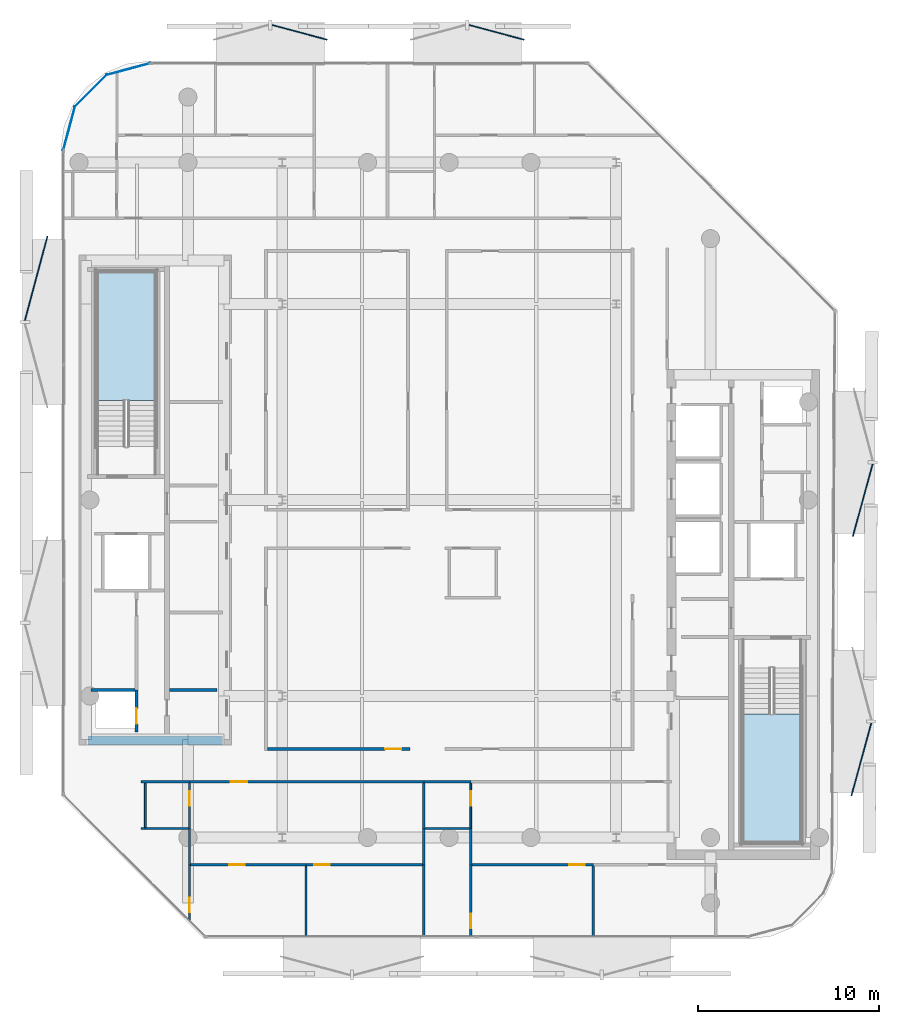
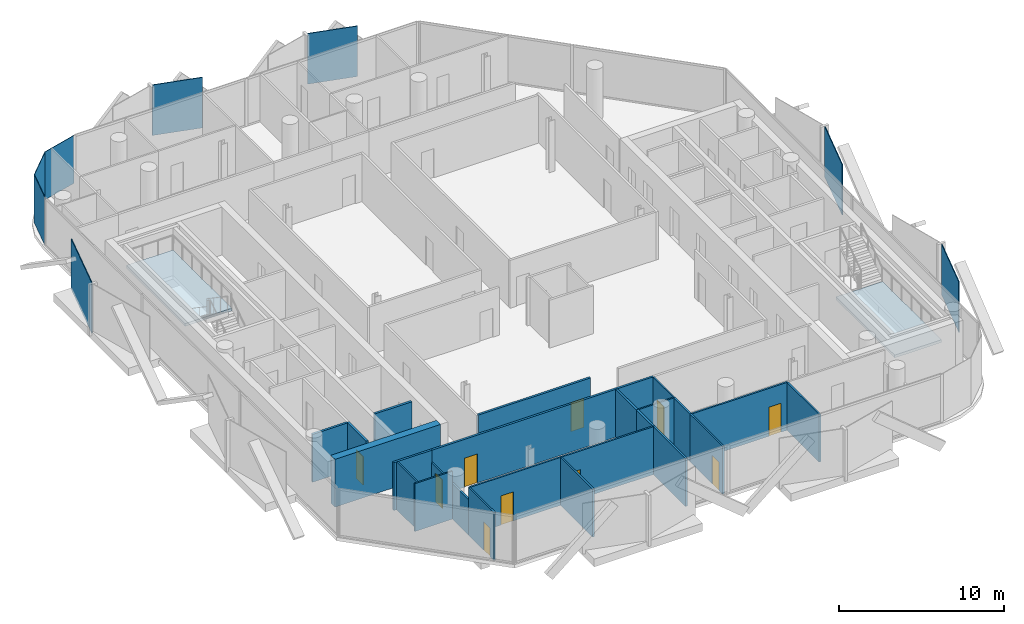
# One storey, part 4 of 16: 25 walls, 10 doors, 8 plates, 2 slabs, 10 openings, 2 elements without a shape of their own.
"""IFC4 building model written with IfcOpenShell, lengths in metres."""

from ifc_helpers import new_model, si_unit, direction, frame, frame_2d, origin, origin_2d, place, context, subcontext, project, spatial, polyline, rectangle, outline, extrude, material, layer, layer_set, type_object, element, fill, aggregate, save


model = new_model("IFC4")

# Units and contexts
model_context = context("Model", 3, precision=1e-05, world=origin(), true_north=direction((0.0, 1.0)))
body_context = subcontext(model_context, "Body", "Model", "MODEL_VIEW")
ifc_project = project(units=[si_unit("LENGTHUNIT", "METRE"), si_unit("AREAUNIT", "SQUARE_METRE"), si_unit("VOLUMEUNIT", "CUBIC_METRE"), si_unit("PLANEANGLEUNIT", "RADIAN"), si_unit("MASSUNIT", "GRAM", prefix="KILO")], contexts=[model_context])

# Site, building, storey
site_placement = place(None, origin())
site = spatial("IfcSite", under=ifc_project, at=site_placement, CompositionType="ELEMENT")
building_placement = place(site_placement, origin())
building = spatial("IfcBuilding", under=site, at=building_placement, Name="Khairoan Windgate Tower", CompositionType="ELEMENT")
storey_placement = place(building_placement, frame((0.0, 0.0, 300.39990234375)))
storey = spatial("IfcBuildingStorey", under=building, at=storey_placement, Name="L72", CompositionType="ELEMENT", Elevation=300.39990234375)

# Plates
ifc_material_1 = material(Name="Low-E Solar Control Laminated Glass", Category="glass")
ifc_layer_1 = layer(ifc_material_1, 0.030029296875, Name="Low-E Solar Control Laminated Glass")
ifc_layer_set_1 = layer_set([ifc_layer_1], Name="Low-E Solar Control Laminated Glass")
plate_type_1 = type_object("IfcPlateType", Name="Aerodynamic Wind-Corner Curved Glazing Plate", PredefinedType="USERDEFINED", material=ifc_layer_set_1)
plate_1_placement = place(storey_placement, frame((-20.940673828125, 20.485107421875, 0.0), z_axis=(0.0, 0.0, 1.0), x_axis=(0.258313252067, 0.966061211211, 0.0)))
element("IfcPlate", 1, at=plate_1_placement, inside=storey, type_object=plate_type_1, Name="L72 Aerodynamic Wind-Corner Curved Glazing Panel 4", ObjectType="GLAZING PANEL", PredefinedType="USERDEFINED", context=body_context, shape_type="SweptSolid", body=[
    extrude(rectangle(XDim=2.512451171875, YDim=0.035888671875, at=origin_2d()), origin(), (0.0, 0.0, 1.0), 3.5400390625),
])
plate_2_placement = place(storey_placement, frame((-19.750244140625, 22.55029296875, 0.0), z_axis=(0.0, 0.0, 1.0), x_axis=(0.707106781187, 0.707106781187, 0.0)))
element("IfcPlate", 2, at=plate_2_placement, inside=storey, type_object=plate_type_1, Name="L72 Aerodynamic Wind-Corner Curved Glazing Panel 5", ObjectType="GLAZING PANEL", PredefinedType="USERDEFINED", context=body_context, shape_type="SweptSolid", body=[
    extrude(rectangle(XDim=2.50341796875, YDim=0.035888671875, at=origin_2d()), origin(), (0.0, 0.0, 1.0), 3.5400390625),
])
plate_3_placement = place(storey_placement, frame((-17.68505859375, 23.740478515625, 0.0), z_axis=(0.0, 0.0, 1.0), x_axis=(0.966061211211, 0.258313252067, 0.0)))
element("IfcPlate", 3, at=plate_3_placement, inside=storey, type_object=plate_type_1, Name="L72 Aerodynamic Wind-Corner Curved Glazing Panel 6", ObjectType="GLAZING PANEL", PredefinedType="USERDEFINED", context=body_context, shape_type="SweptSolid", body=[
    extrude(rectangle(XDim=2.512451171875, YDim=0.035888671875, at=origin_2d()), origin(), (0.0, 0.0, 1.0), 3.5400390625),
])
ifc_material_2 = material(Name="Anodised Bronze Aluminium 6063-T6", Category="aluminium")
ifc_layer_2 = layer(ifc_material_2, 0.054931640625, Name="Anodised Bronze Aluminium 6063-T6")
ifc_layer_set_2 = layer_set([ifc_layer_2], Name="Anodised Bronze Aluminium 6063-T6")
plate_type_2 = type_object("IfcPlateType", Name="Perforated Bronze Solar Screen Upper Panel BSP-2", PredefinedType="USERDEFINED", material=ifc_layer_set_2)
plate_4_placement = place(storey_placement, frame((-22.75830078125, 12.2177734375, -0.10009765625), z_axis=(0.0, 0.0, 1.0), x_axis=(0.258819045103, 0.965925826289, 0.0)))
element("IfcPlate", 4, at=plate_4_placement, inside=storey, type_object=plate_type_2, Name="L72 Perforated Bronze Solar Screen Panel 505R", ObjectType="SCREEN", PredefinedType="USERDEFINED", context=body_context, shape_type="SweptSolid", body=[
    extrude(rectangle(XDim=4.803955078125, YDim=0.054931640625, at=origin_2d()), origin(), (0.0, 0.0, 1.0), 3.739990234375),
])
for number, where, z_axis, x_axis, name in (
    (5, (-8.252197265625, 25.772705078125, -0.10009765625), (0.0, 0.0, 1.0), (0.965925826289, -0.258819045103, 0.0), "L72 Perforated Bronze Solar Screen Panel 506R"),
    (6, (2.604248046875, 25.772705078125, -0.10009765625), (0.0, 0.0, 1.0), (0.965925826289, -0.258819045103, 0.0), "L72 Perforated Bronze Solar Screen Panel 507R"),
):
    element("IfcPlate", number, at=place(storey_placement, frame(where, z_axis=z_axis, x_axis=x_axis)), inside=storey, type_object=plate_type_2, Name=name, ObjectType="SCREEN", PredefinedType="USERDEFINED", context=body_context, shape_type="SweptSolid", body=[
        extrude(rectangle(XDim=3.14794921875, YDim=0.054931640625, at=origin_2d()), origin(), (0.0, 0.0, 1.0), 3.739990234375),
    ])
for number, where, z_axis, x_axis, name in (
    (7, (22.789306640625, -0.01416015625, -0.10009765625), (0.0, 0.0, 1.0), (-0.263873049965, -0.964557418458, 0.0), "L72 Perforated Bronze Solar Screen Panel 508R"),
    (8, (22.7138671875, -14.291015625, -0.10009765625), (0.0, 0.0, 1.0), (-0.263873049965, -0.964557418458, 0.0), "L72 Perforated Bronze Solar Screen Panel 509R"),
):
    element("IfcPlate", number, at=place(storey_placement, frame(where, z_axis=z_axis, x_axis=x_axis)), inside=storey, type_object=plate_type_2, Name=name, ObjectType="SCREEN", PredefinedType="USERDEFINED", context=body_context, shape_type="SweptSolid", body=[
        extrude(rectangle(XDim=4.139892578125, YDim=0.054931640625, at=origin_2d()), origin(), (0.0, 0.0, 1.0), 3.739990234375),
    ])

# Stair, slab
ifc_material_3 = material(Name="Concrete C40/50", Category="concrete")
stair_type = type_object("IfcStairType", Name="Tower Core Dog-Leg Stair ST-T1 1560mm", PredefinedType="HALF_TURN_STAIR", material=ifc_material_3)
stair_1_placement = place(storey_placement, origin())
stair_1 = element("IfcStair", 9, at=stair_1_placement, inside=storey, type_object=stair_type, Name="L72 Stair ST1", PredefinedType="HALF_TURN_STAIR")
ifc_material_4 = material(Name="Concrete C40/50", Category="concrete")
ifc_layer_3 = layer(ifc_material_4, 0.199951171875, Name="Concrete C40/50")
ifc_layer_set_3 = layer_set([ifc_layer_3], Name="Concrete C40/50")
slab_type = type_object("IfcSlabType", Name="Reinforced Concrete Stair Landing Slab STL-200", PredefinedType="LANDING", material=ifc_layer_set_3)
slab_1_placement = place(storey_placement, frame((0.0, 0.0, 1.7001953125)))
slab_1 = element("IfcSlab", 10, at=slab_1_placement, type_object=slab_type, Name="ST1 landing 1", PredefinedType="LANDING", context=body_context, shape_type="SweptSolid", body=[
    extrude(outline(polyline([(16.14990234375, -11.780029296875), (16.14990234375, -18.89990234375), (19.419921875, -18.89990234375), (19.419921875, -11.780029296875), (16.14990234375, -11.780029296875)])), origin(), (0.0, 0.0, 1.0), 0.199951171875),
])
aggregate(stair_1, [slab_1])

stair_2_placement = place(storey_placement, origin())
stair_2 = element("IfcStair", 11, at=stair_2_placement, inside=storey, type_object=stair_type, Name="L72 Stair ST2", PredefinedType="HALF_TURN_STAIR")
slab_2_placement = place(storey_placement, frame((0.0, 0.0, 1.7001953125)))
slab_2 = element("IfcSlab", 12, at=slab_2_placement, type_object=slab_type, Name="ST2 landing 1", PredefinedType="LANDING", context=body_context, shape_type="SweptSolid", body=[
    extrude(outline(polyline([(-16.14990234375, 5.47998046875), (-16.14990234375, 12.60009765625), (-19.419921875, 12.60009765625), (-19.419921875, 5.47998046875), (-16.14990234375, 5.47998046875)])), origin(), (0.0, 0.0, 1.0), 0.199951171875),
])
aggregate(stair_2, [slab_2])

# Wall
ifc_material_5 = material(Name="Moisture-Resistant Gypsum Partition", Category="gypsum")
ifc_layer_4 = layer(ifc_material_5, 0.10009765625, Name="Moisture-Resistant Gypsum Partition")
ifc_layer_set_4 = layer_set([ifc_layer_4], Name="Moisture-Resistant Gypsum Partition")
wall_type_1 = type_object("IfcWallType", Name="Bathroom Wet-Area Partition Wall", PredefinedType="PARTITIONING", material=ifc_layer_set_4)
wall_1_placement = place(storey_placement, frame((-16.97998046875, -18.10009765625, 0.0), z_axis=(0.0, 0.0, 1.0), x_axis=(1.0, 0.0, 0.0)))
element("IfcWall", 13, at=wall_1_placement, inside=storey, type_object=wall_type_1, Name="L72 Interior Partition 054", PredefinedType="PARTITIONING", context=body_context, shape_type="SweptSolid", body=[
    extrude(rectangle(XDim=2.619873046875, YDim=0.10009765625, at=frame_2d((1.31005859375, 0.0))), origin(), (0.0, 0.0, 1.0), 3.5400390625),
])

# Wall, opening, door
wall_2_placement = place(storey_placement, frame((-14.31005859375, -18.10009765625, 0.0), z_axis=(0.0, 0.0, 1.0), x_axis=(0.0, 1.0, 0.0)))
wall_2 = element("IfcWall", 14, at=wall_2_placement, inside=storey, type_object=wall_type_1, Name="L72 Interior Partition 055", PredefinedType="PARTITIONING", context=body_context, shape_type="SweptSolid", body=[
    extrude(rectangle(XDim=2.5, YDim=0.10009765625, at=frame_2d((1.25, 0.0))), origin(), (0.0, 0.0, 1.0), 2.64013671875),
])
opening_1_placement = place(wall_2_placement, frame((1.239990234375, 0.0, 0.0)))
opening_1 = element("IfcOpeningElement", 15, at=opening_1_placement, cuts=wall_2, Name="Opening ID-BTH", PredefinedType="OPENING", context=body_context, shape_type="SweptSolid", body=[
    extrude(rectangle(XDim=0.800048828125, YDim=2.10009765625, at=frame_2d((0.39990234375, 1.050048828125))), frame((0.0, 0.06005859375, 0.0), z_axis=(0.0, -1.0, 0.0), x_axis=(1.0, 0.0, 0.0)), (0.0, 0.0, 1.0), 0.1201171875),
])
ifc_material_6 = material(Name="Teak Veneer Timber Leaf", Category="wood")
door_type_1 = type_object("IfcDoorType", Name="Internal Bathroom Door ID-BTH 800x2100", OperationType="NOTDEFINED", PredefinedType="DOOR", material=ifc_material_6)
door_1_placement = place(opening_1_placement, origin())
door_1 = element("IfcDoor", 16, at=door_1_placement, inside=storey, type_object=door_type_1, Name="L72 L72-44-L72-46 Door", OperationType="SINGLE_SWING_LEFT", OverallHeight=2.10009765625, OverallWidth=0.800048828125, PredefinedType="DOOR", context=body_context, shape_type="SweptSolid", body=[
    extrude(rectangle(XDim=0.800048828125, YDim=2.10009765625, at=frame_2d((0.39990234375, 1.050048828125))), frame((0.0, 0.02490234375, 0.0), z_axis=(0.0, -1.0, 0.0), x_axis=(1.0, 0.0, 0.0)), (0.0, 0.0, 1.0), 0.050048828125),
])
fill(opening_1, door_1)

# Wall
wall_3_placement = place(storey_placement, frame((-1.330078125, -18.10009765625, 0.0), z_axis=(0.0, 0.0, 1.0), x_axis=(1.0, 0.0, 0.0)))
element("IfcWall", 17, at=wall_3_placement, inside=storey, type_object=wall_type_1, Name="L72 Interior Partition 064", PredefinedType="PARTITIONING", context=body_context, shape_type="SweptSolid", body=[
    extrude(rectangle(XDim=2.469970703125, YDim=0.10009765625, at=frame_2d((1.23486328125, 0.0))), origin(), (0.0, 0.0, 1.0), 3.5400390625),
])

# Wall, opening, door
wall_4_placement = place(storey_placement, frame((1.18994140625, -18.10009765625, 0.0), z_axis=(0.0, 0.0, 1.0), x_axis=(0.0, 1.0, 0.0)))
wall_4 = element("IfcWall", 18, at=wall_4_placement, inside=storey, type_object=wall_type_1, Name="L72 Interior Partition 065", PredefinedType="PARTITIONING", context=body_context, shape_type="SweptSolid", body=[
    extrude(rectangle(XDim=2.5, YDim=0.10009765625, at=frame_2d((1.25, 0.0))), origin(), (0.0, 0.0, 1.0), 3.5400390625),
])
opening_2_placement = place(wall_4_placement, frame((1.239990234375, 0.0, 0.0)))
opening_2 = element("IfcOpeningElement", 19, at=opening_2_placement, cuts=wall_4, Name="Opening ID-BTH", PredefinedType="OPENING", context=body_context, shape_type="SweptSolid", body=[
    extrude(rectangle(XDim=0.800048828125, YDim=2.10009765625, at=frame_2d((0.39990234375, 1.050048828125))), frame((0.0, 0.06005859375, 0.0), z_axis=(0.0, -1.0, 0.0), x_axis=(1.0, 0.0, 0.0)), (0.0, 0.0, 1.0), 0.1201171875),
])
door_2_placement = place(opening_2_placement, origin())
door_2 = element("IfcDoor", 20, at=door_2_placement, inside=storey, type_object=door_type_1, Name="L72 L72-49-L72-51 Door", OperationType="SINGLE_SWING_LEFT", OverallHeight=2.10009765625, OverallWidth=0.800048828125, PredefinedType="DOOR", context=body_context, shape_type="SweptSolid", body=[
    extrude(rectangle(XDim=0.800048828125, YDim=2.10009765625, at=frame_2d((0.39990234375, 1.050048828125))), frame((0.0, 0.02490234375, 0.0), z_axis=(0.0, -1.0, 0.0), x_axis=(1.0, 0.0, 0.0)), (0.0, 0.0, 1.0), 0.050048828125),
])
fill(opening_2, door_2)

# Walls
wall_5_placement = place(storey_placement, frame((-16.739990234375, -18.050048828125, 0.0), z_axis=(0.0, 0.0, 1.0), x_axis=(0.0, 1.0, 0.0)))
element("IfcWall", 21, at=wall_5_placement, inside=storey, type_object=wall_type_1, Name="L72 Wet Room Side Wall 075", PredefinedType="PARTITIONING", context=body_context, shape_type="SweptSolid", body=[
    extrude(rectangle(XDim=2.449951171875, YDim=0.10009765625, at=frame_2d((1.22509765625, 0.0))), origin(), (0.0, 0.0, 1.0), 3.5400390625),
])
ifc_material_7 = material(Name="Concrete C40/50", Category="concrete")
ifc_layer_5 = layer(ifc_material_7, 0.159912109375, Name="Concrete C40/50")
ifc_layer_set_5 = layer_set([ifc_layer_5], Name="Concrete C40/50")
wall_type_2 = type_object("IfcWallType", Name="Core and Hoistway Enclosure Wall", PredefinedType="STANDARD", material=ifc_layer_set_5)
wall_6_placement = place(storey_placement, frame((-15.39990234375, -10.47998046875, 0.0), z_axis=(0.0, 0.0, 1.0), x_axis=(1.0, 0.0, 0.0)))
element("IfcWall", 22, at=wall_6_placement, inside=storey, type_object=wall_type_2, Name="L72 Core Shaft Wall SW-WSV-L72", PredefinedType="STANDARD", context=body_context, shape_type="SweptSolid", body=[
    extrude(rectangle(XDim=2.599853515625, YDim=0.159912109375, at=frame_2d((1.2998046875, 0.0))), origin(), (0.0, 0.0, 1.0), 3.5400390625),
])
ifc_material_8 = material(Name="Acoustic Fire-Rated Gypsum Partition", Category="gypsum")
ifc_layer_6 = layer(ifc_material_8, 0.139892578125, Name="Acoustic Fire-Rated Gypsum Partition")
ifc_layer_set_6 = layer_set([ifc_layer_6], Name="Acoustic Fire-Rated Gypsum Partition")
wall_type_3 = type_object("IfcWallType", Name="Inter-Tenancy Compartment Wall", PredefinedType="PARTITIONING", material=ifc_layer_set_6)
wall_7_placement = place(storey_placement, frame((-1.39990234375, -18.10009765625, 0.0), z_axis=(0.0, 0.0, 1.0), x_axis=(0.0, 1.0, 0.0)))
element("IfcWall", 23, at=wall_7_placement, inside=storey, type_object=wall_type_3, Name="L72 Interior Partition 060", PredefinedType="PARTITIONING", context=body_context, shape_type="SweptSolid", body=[
    extrude(rectangle(XDim=2.5, YDim=0.139892578125, at=frame_2d((1.25, 0.0))), origin(), (0.0, 0.0, 1.0), 3.5400390625),
])
wall_8_placement = place(storey_placement, frame((-1.39990234375, -20.10009765625, 0.0), z_axis=(0.0, 0.0, 1.0), x_axis=(0.0, 1.0, 0.0)))
element("IfcWall", 24, at=wall_8_placement, inside=storey, type_object=wall_type_3, Name="L72 Interior Partition 061", PredefinedType="PARTITIONING", context=body_context, shape_type="SweptSolid", body=[
    extrude(rectangle(XDim=2.0, YDim=0.139892578125, at=frame_2d((1.0, 0.0))), origin(), (0.0, 0.0, 1.0), 3.5400390625),
])
wall_9_placement = place(storey_placement, frame((-1.39990234375, -24.054931640625, 0.0), z_axis=(0.0, 0.0, 1.0), x_axis=(0.0, 1.0, 0.0)))
element("IfcWall", 25, at=wall_9_placement, inside=storey, type_object=wall_type_3, Name="L72 Interior Partition 063", PredefinedType="PARTITIONING", context=body_context, shape_type="SweptSolid", body=[
    extrude(rectangle(XDim=3.954833984375, YDim=0.139892578125, at=frame_2d((1.9775390625, 0.0))), origin(), (0.0, 0.0, 1.0), 3.5400390625),
])
ifc_material_9 = material(Name="Gypsum Stud Partition", Category="gypsum")
ifc_layer_7 = layer(ifc_material_9, 0.1201171875, Name="Gypsum Stud Partition")
ifc_layer_set_7 = layer_set([ifc_layer_7], Name="Gypsum Stud Partition")
wall_type_4 = type_object("IfcWallType", Name="Internal Room Partition Wall", PredefinedType="PARTITIONING", material=ifc_layer_set_7)
wall_10_placement = place(storey_placement, frame((-14.31005859375, -20.10009765625, 0.0), z_axis=(0.0, 0.0, 1.0), x_axis=(0.0, 1.0, 0.0)))
element("IfcWall", 26, at=wall_10_placement, inside=storey, type_object=wall_type_4, Name="L72 Interior Partition 056", PredefinedType="PARTITIONING", context=body_context, shape_type="SweptSolid", body=[
    extrude(rectangle(XDim=2.0, YDim=0.1201171875, at=frame_2d((1.0, 0.0))), origin(), (0.0, 0.0, 1.0), 2.64013671875),
])

# Wall, opening, door
wall_11_placement = place(storey_placement, frame((-14.31005859375, -23.18701171875, 0.0), z_axis=(0.0, 0.0, 1.0), x_axis=(0.0, 1.0, 0.0)))
wall_11 = element("IfcWall", 27, at=wall_11_placement, inside=storey, type_object=wall_type_4, Name="L72 Interior Partition 057", PredefinedType="PARTITIONING", context=body_context, shape_type="SweptSolid", body=[
    extrude(rectangle(XDim=3.0869140625, YDim=0.1201171875, at=frame_2d((1.54345703125, 0.0))), origin(), (0.0, 0.0, 1.0), 3.5400390625),
])
opening_3_placement = place(wall_11_placement, frame((0.4599609375, 0.0, 0.0)))
opening_3 = element("IfcOpeningElement", 28, at=opening_3_placement, cuts=wall_11, Name="Opening ID-BTH", PredefinedType="OPENING", context=body_context, shape_type="SweptSolid", body=[
    extrude(rectangle(XDim=0.800048828125, YDim=2.10009765625, at=frame_2d((0.39990234375, 1.050048828125))), frame((0.0, 0.070068359375, 0.0), z_axis=(0.0, -1.0, 0.0), x_axis=(1.0, 0.0, 0.0)), (0.0, 0.0, 1.0), 0.14013671875),
])
door_3_placement = place(opening_3_placement, origin())
door_3 = element("IfcDoor", 29, at=door_3_placement, inside=storey, type_object=door_type_1, Name="L72 L72-45-L72-47 Door", OperationType="SINGLE_SWING_RIGHT", OverallHeight=2.10009765625, OverallWidth=0.800048828125, PredefinedType="DOOR", context=body_context, shape_type="SweptSolid", body=[
    extrude(rectangle(XDim=0.800048828125, YDim=2.10009765625, at=frame_2d((0.39990234375, 1.050048828125))), frame((0.0, 0.02490234375, 0.0), z_axis=(0.0, -1.0, 0.0), x_axis=(1.0, 0.0, 0.0)), (0.0, 0.0, 1.0), 0.050048828125),
])
fill(opening_3, door_3)

wall_12_placement = place(storey_placement, frame((-14.25, -20.10009765625, 0.0), z_axis=(0.0, 0.0, 1.0), x_axis=(1.0, 0.0, 0.0)))
wall_12 = element("IfcWall", 30, at=wall_12_placement, inside=storey, type_object=wall_type_4, Name="L72 Interior Partition 058", PredefinedType="PARTITIONING", context=body_context, shape_type="SweptSolid", body=[
    extrude(rectangle(XDim=6.35498046875, YDim=0.1201171875, at=frame_2d((3.177490234375, 0.0))), origin(), (0.0, 0.0, 1.0), 3.5400390625),
])
opening_4_placement = place(wall_12_placement, frame((2.12353515625, 0.0, 0.0)))
opening_4 = element("IfcOpeningElement", 31, at=opening_4_placement, cuts=wall_12, Name="Opening ID-RM", PredefinedType="OPENING", context=body_context, shape_type="SweptSolid", body=[
    extrude(rectangle(XDim=0.860107421875, YDim=2.14990234375, at=frame_2d((0.43017578125, 1.074951171875))), frame((0.0, 0.070068359375, 0.0), z_axis=(0.0, -1.0, 0.0), x_axis=(1.0, 0.0, 0.0)), (0.0, 0.0, 1.0), 0.14013671875),
])
ifc_material_10 = material(Name="Teak Veneer Timber Leaf", Category="wood")
door_type_2 = type_object("IfcDoorType", Name="Internal Bedroom and Office Door ID-RM 860x2150", OperationType="NOTDEFINED", PredefinedType="DOOR", material=ifc_material_10)
door_4_placement = place(opening_4_placement, origin())
door_4 = element("IfcDoor", 32, at=door_4_placement, inside=storey, type_object=door_type_2, Name="L72 L72-46-L72-47 Door", OperationType="SINGLE_SWING_LEFT", OverallHeight=2.14990234375, OverallWidth=0.860107421875, PredefinedType="DOOR", context=body_context, shape_type="SweptSolid", body=[
    extrude(rectangle(XDim=0.860107421875, YDim=2.14990234375, at=frame_2d((0.43017578125, 1.074951171875))), frame((0.0, 0.02490234375, 0.0), z_axis=(0.0, -1.0, 0.0), x_axis=(1.0, 0.0, 0.0)), (0.0, 0.0, 1.0), 0.050048828125),
])
fill(opening_4, door_4)

wall_13_placement = place(storey_placement, frame((-7.89501953125, -20.10009765625, 0.0), z_axis=(0.0, 0.0, 1.0), x_axis=(1.0, 0.0, 0.0)))
wall_13 = element("IfcWall", 33, at=wall_13_placement, inside=storey, type_object=wall_type_4, Name="L72 Interior Partition 059", PredefinedType="PARTITIONING", context=body_context, shape_type="SweptSolid", body=[
    extrude(rectangle(XDim=6.425048828125, YDim=0.1201171875, at=frame_2d((3.21240234375, 0.0))), origin(), (0.0, 0.0, 1.0), 3.5400390625),
])
opening_5_placement = place(wall_13_placement, frame((0.4599609375, 0.0, 0.0)))
opening_5 = element("IfcOpeningElement", 34, at=opening_5_placement, cuts=wall_13, Name="Opening ID-RM", PredefinedType="OPENING", context=body_context, shape_type="SweptSolid", body=[
    extrude(rectangle(XDim=0.860107421875, YDim=2.14990234375, at=frame_2d((0.43017578125, 1.074951171875))), frame((0.0, 0.070068359375, 0.0), z_axis=(0.0, -1.0, 0.0), x_axis=(1.0, 0.0, 0.0)), (0.0, 0.0, 1.0), 0.14013671875),
])
door_5_placement = place(opening_5_placement, origin())
door_5 = element("IfcDoor", 35, at=door_5_placement, inside=storey, type_object=door_type_2, Name="L72 L72-46-L72-48 Door", OperationType="SINGLE_SWING_RIGHT", OverallHeight=2.14990234375, OverallWidth=0.860107421875, PredefinedType="DOOR", context=body_context, shape_type="SweptSolid", body=[
    extrude(rectangle(XDim=0.860107421875, YDim=2.14990234375, at=frame_2d((0.43017578125, 1.074951171875))), frame((0.0, 0.02490234375, 0.0), z_axis=(0.0, -1.0, 0.0), x_axis=(1.0, 0.0, 0.0)), (0.0, 0.0, 1.0), 0.050048828125),
])
fill(opening_5, door_5)

# Walls
wall_14_placement = place(storey_placement, frame((-7.89501953125, -24.054931640625, 0.0), z_axis=(0.0, 0.0, 1.0), x_axis=(0.0, 1.0, 0.0)))
element("IfcWall", 36, at=wall_14_placement, inside=storey, type_object=wall_type_4, Name="L72 Interior Partition 062", PredefinedType="PARTITIONING", context=body_context, shape_type="SweptSolid", body=[
    extrude(rectangle(XDim=3.89501953125, YDim=0.1201171875, at=frame_2d((1.947509765625, 0.0))), origin(), (0.0, 0.0, 1.0), 3.5400390625),
])
wall_15_placement = place(storey_placement, frame((1.18994140625, -20.10009765625, 0.0), z_axis=(0.0, 0.0, 1.0), x_axis=(0.0, 1.0, 0.0)))
element("IfcWall", 37, at=wall_15_placement, inside=storey, type_object=wall_type_4, Name="L72 Interior Partition 066", PredefinedType="PARTITIONING", context=body_context, shape_type="SweptSolid", body=[
    extrude(rectangle(XDim=2.0, YDim=0.1201171875, at=frame_2d((1.0, 0.0))), origin(), (0.0, 0.0, 1.0), 3.5400390625),
])

# Wall, opening, door
wall_16_placement = place(storey_placement, frame((1.18994140625, -24.054931640625, 0.0), z_axis=(0.0, 0.0, 1.0), x_axis=(0.0, 1.0, 0.0)))
wall_16 = element("IfcWall", 38, at=wall_16_placement, inside=storey, type_object=wall_type_4, Name="L72 Interior Partition 067", PredefinedType="PARTITIONING", context=body_context, shape_type="SweptSolid", body=[
    extrude(rectangle(XDim=3.954833984375, YDim=0.1201171875, at=frame_2d((1.9775390625, 0.0))), origin(), (0.0, 0.0, 1.0), 3.5400390625),
])
opening_6_placement = place(wall_16_placement, frame((0.4599609375, 0.0, 0.0)))
opening_6 = element("IfcOpeningElement", 39, at=opening_6_placement, cuts=wall_16, Name="Opening ID-BTH", PredefinedType="OPENING", context=body_context, shape_type="SweptSolid", body=[
    extrude(rectangle(XDim=0.800048828125, YDim=2.10009765625, at=frame_2d((0.39990234375, 1.050048828125))), frame((0.0, 0.070068359375, 0.0), z_axis=(0.0, -1.0, 0.0), x_axis=(1.0, 0.0, 0.0)), (0.0, 0.0, 1.0), 0.14013671875),
])
door_6_placement = place(opening_6_placement, origin())
door_6 = element("IfcDoor", 40, at=door_6_placement, inside=storey, type_object=door_type_1, Name="L72 L72-50-L72-53 Door", OperationType="SINGLE_SWING_RIGHT", OverallHeight=2.10009765625, OverallWidth=0.800048828125, PredefinedType="DOOR", context=body_context, shape_type="SweptSolid", body=[
    extrude(rectangle(XDim=0.800048828125, YDim=2.10009765625, at=frame_2d((0.39990234375, 1.050048828125))), frame((0.0, 0.02490234375, 0.0), z_axis=(0.0, -1.0, 0.0), x_axis=(1.0, 0.0, 0.0)), (0.0, 0.0, 1.0), 0.050048828125),
])
fill(opening_6, door_6)

wall_17_placement = place(storey_placement, frame((1.25, -20.10009765625, 0.0), z_axis=(0.0, 0.0, 1.0), x_axis=(1.0, 0.0, 0.0)))
wall_17 = element("IfcWall", 41, at=wall_17_placement, inside=storey, type_object=wall_type_4, Name="L72 Interior Partition 068", PredefinedType="PARTITIONING", context=body_context, shape_type="SweptSolid", body=[
    extrude(rectangle(XDim=6.68994140625, YDim=0.1201171875, at=frame_2d((3.344970703125, 0.0))), origin(), (0.0, 0.0, 1.0), 3.5400390625),
])
opening_7_placement = place(wall_17_placement, frame((5.3701171875, 0.0, 0.0)))
opening_7 = element("IfcOpeningElement", 42, at=opening_7_placement, cuts=wall_17, Name="Opening ID-RM", PredefinedType="OPENING", context=body_context, shape_type="SweptSolid", body=[
    extrude(rectangle(XDim=0.860107421875, YDim=2.14990234375, at=frame_2d((0.43017578125, 1.074951171875))), frame((0.0, 0.070068359375, 0.0), z_axis=(0.0, -1.0, 0.0), x_axis=(1.0, 0.0, 0.0)), (0.0, 0.0, 1.0), 0.14013671875),
])
door_7_placement = place(opening_7_placement, origin())
door_7 = element("IfcDoor", 43, at=door_7_placement, inside=storey, type_object=door_type_2, Name="L72 L72-51-L72-53 Door", OperationType="SINGLE_SWING_LEFT", OverallHeight=2.14990234375, OverallWidth=0.860107421875, PredefinedType="DOOR", context=body_context, shape_type="SweptSolid", body=[
    extrude(rectangle(XDim=0.860107421875, YDim=2.14990234375, at=frame_2d((0.43017578125, 1.074951171875))), frame((0.0, 0.02490234375, 0.0), z_axis=(0.0, -1.0, 0.0), x_axis=(1.0, 0.0, 0.0)), (0.0, 0.0, 1.0), 0.050048828125),
])
fill(opening_7, door_7)

# Wall
wall_18_placement = place(storey_placement, frame((7.93994140625, -24.054931640625, 0.0), z_axis=(0.0, 0.0, 1.0), x_axis=(0.0, 1.0, 0.0)))
element("IfcWall", 44, at=wall_18_placement, inside=storey, type_object=wall_type_4, Name="L72 Interior Partition 071", PredefinedType="PARTITIONING", context=body_context, shape_type="SweptSolid", body=[
    extrude(rectangle(XDim=3.89501953125, YDim=0.1201171875, at=frame_2d((1.947509765625, 0.0))), origin(), (0.0, 0.0, 1.0), 3.5400390625),
])

# Wall, opening, door
ifc_material_11 = material(Name="Concrete C40/50", Category="concrete")
ifc_layer_8 = layer(ifc_material_11, 0.159912109375, Name="Concrete C40/50")
ifc_layer_set_8 = layer_set([ifc_layer_8], Name="Concrete C40/50")
wall_type_5 = type_object("IfcWallType", Name="Plant and Refuge Compartment Wall", PredefinedType="PARTITIONING", material=ifc_layer_set_8)
wall_19_placement = place(storey_placement, frame((-17.22998046875, -12.7900390625, 0.0), z_axis=(0.0, 0.0, 1.0), x_axis=(0.0, 1.0, 0.0)))
wall_19 = element("IfcWall", 45, at=wall_19_placement, inside=storey, type_object=wall_type_5, Name="L72 Interior Partition 001", PredefinedType="PARTITIONING", context=body_context, shape_type="SweptSolid", body=[
    extrude(rectangle(XDim=2.320068359375, YDim=0.159912109375, at=frame_2d((1.16015625, 0.0))), origin(), (0.0, 0.0, 1.0), 3.5400390625),
])
opening_8_placement = place(wall_19_placement, frame((0.4599609375, 0.0, 0.0)))
opening_8 = element("IfcOpeningElement", 46, at=opening_8_placement, cuts=wall_19, Name="Opening FD-SRV", PredefinedType="OPENING", context=body_context, shape_type="SweptSolid", body=[
    extrude(rectangle(XDim=0.85009765625, YDim=2.10009765625, at=frame_2d((0.425048828125, 1.050048828125))), frame((0.0, 0.08984375, 0.0), z_axis=(0.0, -1.0, 0.0), x_axis=(1.0, 0.0, 0.0)), (0.0, 0.0, 1.0), 0.179931640625),
])
ifc_material_12 = material(Name="Steel S355", Category="steel")
door_type_3 = type_object("IfcDoorType", Name="Core Service and Riser Fire Door FD-SRV 850x2100", OperationType="NOTDEFINED", PredefinedType="DOOR", material=ifc_material_12)
door_8_placement = place(opening_8_placement, origin())
door_8 = element("IfcDoor", 47, at=door_8_placement, inside=storey, type_object=door_type_3, Name="L72 L72-04-L72-05 Door", OperationType="SINGLE_SWING_RIGHT", OverallHeight=2.10009765625, OverallWidth=0.85009765625, PredefinedType="DOOR", context=body_context, shape_type="SweptSolid", body=[
    extrude(rectangle(XDim=0.85009765625, YDim=2.10009765625, at=frame_2d((0.425048828125, 1.050048828125))), frame((0.0, 0.02490234375, 0.0), z_axis=(0.0, -1.0, 0.0), x_axis=(1.0, 0.0, 0.0)), (0.0, 0.0, 1.0), 0.050048828125),
])
fill(opening_8, door_8)

# Walls
wall_20_placement = place(storey_placement, frame((-19.75, -10.469970703125, 0.0), z_axis=(0.0, 0.0, 1.0), x_axis=(1.0, 0.0, 0.0)))
element("IfcWall", 48, at=wall_20_placement, inside=storey, type_object=wall_type_5, Name="L72 Interior Partition 003", PredefinedType="PARTITIONING", context=body_context, shape_type="SweptSolid", body=[
    extrude(rectangle(XDim=2.43994140625, YDim=0.159912109375, at=frame_2d((1.219970703125, 0.0))), origin(), (0.0, 0.0, 1.0), 3.5400390625),
])
ifc_material_13 = material(Name="Acoustic Fire-Rated Gypsum Partition", Category="gypsum")
ifc_layer_9 = layer(ifc_material_13, 0.14990234375, Name="Acoustic Fire-Rated Gypsum Partition")
ifc_layer_set_9 = layer_set([ifc_layer_9], Name="Acoustic Fire-Rated Gypsum Partition")
wall_type_6 = type_object("IfcWallType", Name="Rated Corridor Partition Wall", PredefinedType="PARTITIONING", material=ifc_layer_set_9)
wall_21_placement = place(storey_placement, frame((-16.97998046875, -15.52490234375, 0.0), z_axis=(0.0, 0.0, 1.0), x_axis=(1.0, 0.0, 0.0)))
element("IfcWall", 49, at=wall_21_placement, inside=storey, type_object=wall_type_6, Name="L72 Interior Partition 030", PredefinedType="PARTITIONING", context=body_context, shape_type="SweptSolid", body=[
    extrude(rectangle(XDim=2.669921875, YDim=0.14990234375, at=frame_2d((1.3349609375, 0.0))), origin(), (0.0, 0.0, 1.0), 3.5400390625),
])

# Wall, opening, door
wall_22_placement = place(storey_placement, frame((-14.31005859375, -15.52490234375, 0.0), z_axis=(0.0, 0.0, 1.0), x_axis=(1.0, 0.0, 0.0)))
wall_22 = element("IfcWall", 50, at=wall_22_placement, inside=storey, type_object=wall_type_6, Name="L72 Interior Partition 031", PredefinedType="PARTITIONING", context=body_context, shape_type="SweptSolid", body=[
    extrude(rectangle(XDim=12.91015625, YDim=0.14990234375, at=frame_2d((6.455078125, 0.0))), origin(), (0.0, 0.0, 1.0), 3.5400390625),
])
opening_9_placement = place(wall_22_placement, frame((2.274658203125, 0.0, 0.0)))
opening_9 = element("IfcOpeningElement", 51, at=opening_9_placement, cuts=wall_22, Name="Opening FD-ENT", PredefinedType="OPENING", context=body_context, shape_type="SweptSolid", body=[
    extrude(rectangle(XDim=0.89990234375, YDim=2.14990234375, at=frame_2d((0.449951171875, 1.074951171875))), frame((0.0, 0.0849609375, 0.0), z_axis=(0.0, -1.0, 0.0), x_axis=(1.0, 0.0, 0.0)), (0.0, 0.0, 1.0), 0.169921875),
])
ifc_material_14 = material(Name="Timber Fire-Rated Core", Category="wood")
door_type_4 = type_object("IfcDoorType", Name="Unit and Office Fire Entrance Door FD-ENT 900x2150", OperationType="NOTDEFINED", PredefinedType="DOOR", material=ifc_material_14)
door_9_placement = place(opening_9_placement, origin())
door_9 = element("IfcDoor", 52, at=door_9_placement, inside=storey, type_object=door_type_4, Name="L72 L72-32-L72-46 Door", OperationType="SINGLE_SWING_RIGHT", OverallHeight=2.14990234375, OverallWidth=0.89990234375, PredefinedType="DOOR", context=body_context, shape_type="SweptSolid", body=[
    extrude(rectangle(XDim=0.89990234375, YDim=2.14990234375, at=frame_2d((0.449951171875, 1.074951171875))), frame((0.0, 0.02490234375, 0.0), z_axis=(0.0, -1.0, 0.0), x_axis=(1.0, 0.0, 0.0)), (0.0, 0.0, 1.0), 0.050048828125),
])
fill(opening_9, door_9)

# Wall
wall_23_placement = place(storey_placement, frame((-1.39990234375, -15.52490234375, 0.0), z_axis=(0.0, 0.0, 1.0), x_axis=(1.0, 0.0, 0.0)))
element("IfcWall", 53, at=wall_23_placement, inside=storey, type_object=wall_type_6, Name="L72 Interior Partition 032", PredefinedType="PARTITIONING", context=body_context, shape_type="SweptSolid", body=[
    extrude(rectangle(XDim=2.58984375, YDim=0.14990234375, at=frame_2d((1.294921875, 0.0))), origin(), (0.0, 0.0, 1.0), 3.5400390625),
])

# Wall, opening, door
wall_24_placement = place(storey_placement, frame((-10.02490234375, -13.719970703125, 0.0), z_axis=(0.0, 0.0, 1.0), x_axis=(1.0, 0.0, 0.0)))
wall_24 = element("IfcWall", 54, at=wall_24_placement, inside=storey, type_object=wall_type_6, Name="L72 Interior Partition 034", PredefinedType="PARTITIONING", context=body_context, shape_type="SweptSolid", body=[
    extrude(rectangle(XDim=7.85498046875, YDim=0.14990234375, at=frame_2d((3.927490234375, 0.0))), origin(), (0.0, 0.0, 1.0), 3.5400390625),
])
opening_10_placement = place(wall_24_placement, frame((6.4951171875, 0.0, 0.0)))
opening_10 = element("IfcOpeningElement", 55, at=opening_10_placement, cuts=wall_24, Name="Opening FD-ENT", PredefinedType="OPENING", context=body_context, shape_type="SweptSolid", body=[
    extrude(rectangle(XDim=0.89990234375, YDim=2.14990234375, at=frame_2d((0.449951171875, 1.074951171875))), frame((0.0, 0.0849609375, 0.0), z_axis=(0.0, -1.0, 0.0), x_axis=(1.0, 0.0, 0.0)), (0.0, 0.0, 1.0), 0.169921875),
])
door_10_placement = place(opening_10_placement, origin())
door_10 = element("IfcDoor", 56, at=door_10_placement, inside=storey, type_object=door_type_4, Name="L72 L72-32-L72-57 Door", OperationType="SINGLE_SWING_RIGHT", OverallHeight=2.14990234375, OverallWidth=0.89990234375, PredefinedType="DOOR", context=body_context, shape_type="SweptSolid", body=[
    extrude(rectangle(XDim=0.89990234375, YDim=2.14990234375, at=frame_2d((0.449951171875, 1.074951171875))), frame((0.0, 0.02490234375, 0.0), z_axis=(0.0, -1.0, 0.0), x_axis=(1.0, 0.0, 0.0)), (0.0, 0.0, 1.0), 0.050048828125),
])
fill(opening_10, door_10)

# Wall
ifc_material_15 = material(Name="Concrete C50/60", Category="concrete")
ifc_layer_10 = layer(ifc_material_15, 0.5, Name="Concrete C50/60")
ifc_layer_set_10 = layer_set([ifc_layer_10], Name="Concrete C50/60")
wall_type_7 = type_object("IfcWallType", Name="Shear Wall CW-W3 500mm", PredefinedType="SHEAR", material=ifc_layer_set_10)
wall_25_placement = place(storey_placement, frame((-19.89990234375, -13.25, 0.0), z_axis=(0.0, 0.0, 1.0), x_axis=(1.0, 0.0, 0.0)))
element("IfcWall", 57, at=wall_25_placement, inside=storey, type_object=wall_type_7, Name="W Core South Shear Wall L72", PredefinedType="SHEAR", context=body_context, shape_type="SweptSolid", body=[
    extrude(rectangle(XDim=7.39990234375, YDim=0.5, at=frame_2d((3.699951171875, 0.0))), origin(), (0.0, 0.0, 1.0), 3.5400390625),
])

save(model, "model.ifc")
